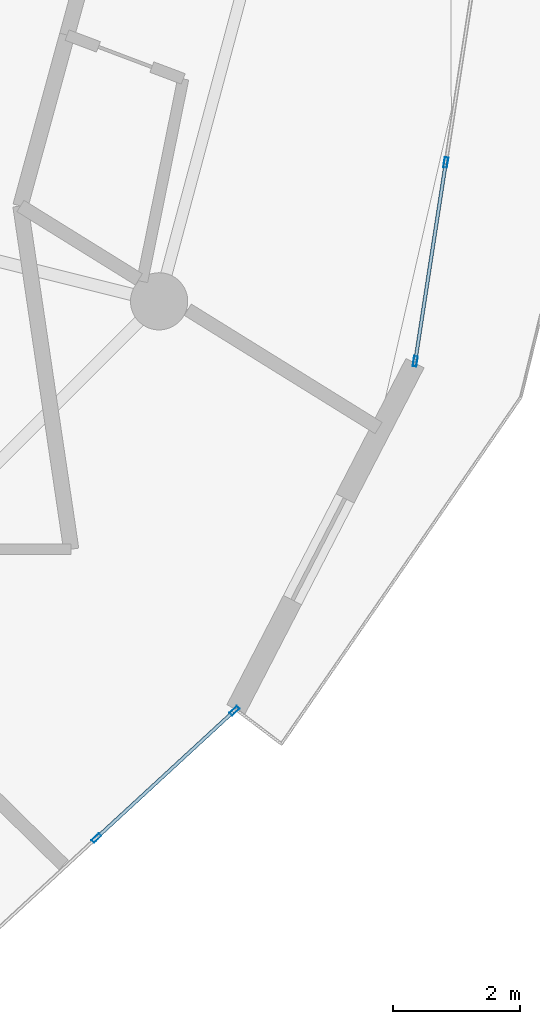
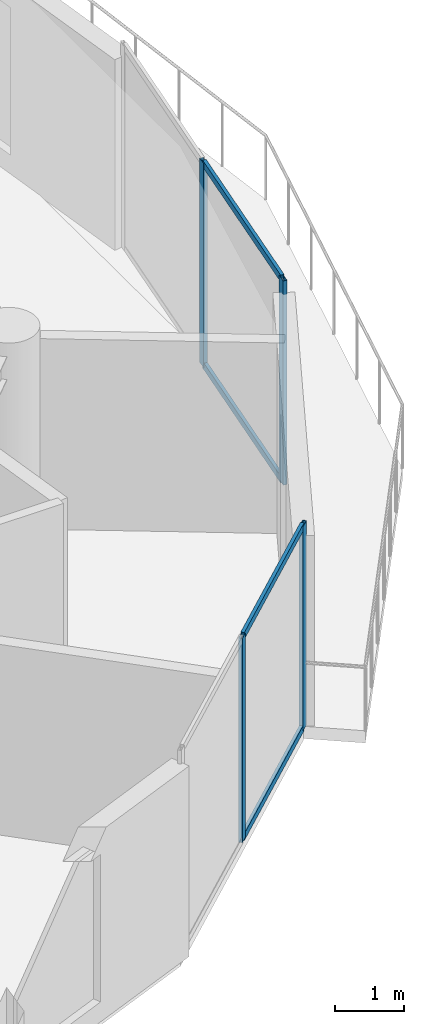
# One storey, part 12 of 24: 8 members, 2 elements without a shape of their own.
"""IFC4 building model written with IfcOpenShell, lengths in metres."""

from ifc_helpers import new_model, si_unit, direction, frame, origin, origin_2d, place, context, subcontext, project, spatial, hollow_rectangle, extrude, source, transform, mapped, material, layer, layer_set, material_profile, profile_set, type_object, element, aggregate, save


model = new_model("IFC4")

# Units and contexts
model_context = context("Model", 3, precision=1e-05, world=origin(), true_north=direction((0.0, 1.0)))
body_context = subcontext(model_context, "Body", "Model", "MODEL_VIEW")
ifc_project = project(units=[si_unit("LENGTHUNIT", "METRE"), si_unit("AREAUNIT", "SQUARE_METRE"), si_unit("VOLUMEUNIT", "CUBIC_METRE"), si_unit("PLANEANGLEUNIT", "RADIAN"), si_unit("MASSUNIT", "GRAM", prefix="KILO")], contexts=[model_context])

# Site, building, storey
site_placement = place(None, origin())
site = spatial("IfcSite", under=ifc_project, at=site_placement, CompositionType="ELEMENT")
building_placement = place(site_placement, origin())
building = spatial("IfcBuilding", under=site, at=building_placement, Name="Solvirekh Grand Hotel", CompositionType="ELEMENT")
storey_placement = place(building_placement, frame((0.0, 0.0, 184.0)))
storey = spatial("IfcBuildingStorey", under=building, at=storey_placement, Name="L47", CompositionType="ELEMENT", Elevation=184.0)

# Curtain wall, members
ifc_material = material(Name="Anodized Bronze Aluminium 6063-T6", Category="aluminium")
ifc_layer = layer(ifc_material, 0.159912109375)
ifc_layer_set = layer_set([ifc_layer], Name="Anodized Bronze Aluminium 6063-T6")
curtain_wall_type = type_object("IfcCurtainWallType", Name="CW_Sys4_HighZoneFlushBronzeCW", PredefinedType="NOTDEFINED", material=ifc_layer_set)
curtain_wall_1_placement = place(storey_placement, origin())
curtain_wall_1 = element("IfcCurtainWall", 1, at=curtain_wall_1_placement, inside=storey, type_object=curtain_wall_type, Name="L47 unitised bronze-glass curtain wall CW-L47-C01", PredefinedType="NOTDEFINED")
ifc_material_profile_1 = material_profile(ifc_material, hollow_rectangle(XDim=0.06005859375, YDim=0.159912109375, WallThickness=0.0048828125, at=origin_2d()), Name="ALU RHS 160X60X5")
ifc_profile_set_1 = profile_set([ifc_material_profile_1], Name="Anodized Bronze Aluminium 6063-T6")
member_type_1 = type_object("IfcMemberType", Name="CWMullion_Sys4", PredefinedType="MULLION", material=ifc_profile_set_1)
shared_shape_1 = source(origin(), body_context, "Body", "SweptSolid", [
    extrude(hollow_rectangle(XDim=0.06005859375, YDim=0.159912109375, WallThickness=0.0048828125, at=origin_2d()), origin(), (0.0, 0.0, 1.0), 3.60009765625),
])
member_1_placement = place(storey_placement, frame((12.697509765625, -16.341552734375, 0.0), z_axis=(0.0, 0.0, 1.0), x_axis=(-0.677869340512, 0.735182397228, 0.0)))
member_1 = element("IfcMember", 2, at=member_1_placement, type_object=member_type_1, Name="U04 mullion 2", PredefinedType="MULLION", context=body_context, shape_type="MappedRepresentation", body=[
    mapped(shared_shape_1, transform((0.0, 0.0, 0.0), x_axis=(1.0, 0.0, 0.0), y_axis=(0.0, 1.0, 0.0), z_axis=(0.0, 0.0, 1.0), scale=1.0)),
])
member_2_placement = place(storey_placement, frame((14.868896484375, -14.33935546875, 0.0), z_axis=(0.0, 0.0, 1.0), x_axis=(-0.677869340512, 0.735182397228, 0.0)))
member_2 = element("IfcMember", 3, at=member_2_placement, type_object=member_type_1, Name="U04 mullion 3", PredefinedType="MULLION", context=body_context, shape_type="MappedRepresentation", body=[
    mapped(shared_shape_1, transform((0.0, 0.0, 0.0), x_axis=(1.0, 0.0, 0.0), y_axis=(0.0, 1.0, 0.0), z_axis=(0.0, 0.0, 1.0), scale=1.0)),
])

curtain_wall_2_placement = place(storey_placement, origin())
curtain_wall_2 = element("IfcCurtainWall", 4, at=curtain_wall_2_placement, inside=storey, type_object=curtain_wall_type, Name="L47 unitised bronze-glass curtain wall CW-L47-C03", PredefinedType="NOTDEFINED")
member_3_placement = place(storey_placement, frame((17.712646484375, -8.84326171875, 0.0), z_axis=(0.0, 0.0, 1.0), x_axis=(-0.988384360076, 0.151974855674, 0.0)))
member_3 = element("IfcMember", 5, at=member_3_placement, type_object=member_type_1, Name="U04 mullion 1", PredefinedType="MULLION", context=body_context, shape_type="MappedRepresentation", body=[
    mapped(shared_shape_1, transform((0.0, 0.0, 0.0), x_axis=(1.0, 0.0, 0.0), y_axis=(0.0, 1.0, 0.0), z_axis=(0.0, 0.0, 1.0), scale=1.0)),
])
member_4_placement = place(storey_placement, frame((18.193603515625, -5.715576171875, 0.0), z_axis=(0.0, 0.0, 1.0), x_axis=(-0.988384360076, 0.151974855674, 0.0)))
member_4 = element("IfcMember", 6, at=member_4_placement, type_object=member_type_1, Name="U04 mullion 2", PredefinedType="MULLION", context=body_context, shape_type="MappedRepresentation", body=[
    mapped(shared_shape_1, transform((0.0, 0.0, 0.0), x_axis=(1.0, 0.0, 0.0), y_axis=(0.0, 1.0, 0.0), z_axis=(0.0, 0.0, 1.0), scale=1.0)),
])
ifc_material_profile_2 = material_profile(ifc_material, hollow_rectangle(XDim=0.054931640625, YDim=0.1201171875, WallThickness=0.00390625, at=origin_2d()), Name="ALU RHS 120X55X4")
ifc_profile_set_2 = profile_set([ifc_material_profile_2], Name="Anodized Bronze Aluminium 6063-T6")
member_type_2 = type_object("IfcMemberType", Name="CWTransom_Sys4", PredefinedType="USERDEFINED", material=ifc_profile_set_2)
shared_shape_2 = source(origin(), body_context, "Body", "SweptSolid", [
    extrude(hollow_rectangle(XDim=0.054931640625, YDim=0.1201171875, WallThickness=0.00390625, at=origin_2d()), origin(), (0.0, 0.0, 1.0), 3.104736328125),
])
member_5_placement = place(storey_placement, frame((17.717041015625, -8.813720703125, 0.027587890625), z_axis=(0.152004002247, 0.988379878033, 0.0), x_axis=(-0.988379878033, 0.152004002247, 0.0)))
member_5 = element("IfcMember", 7, at=member_5_placement, type_object=member_type_2, Name="U04 transom 1.1", ObjectType="TRANSOM", PredefinedType="USERDEFINED", context=body_context, shape_type="MappedRepresentation", body=[
    mapped(shared_shape_2, transform((0.0, 0.0, 0.0), x_axis=(1.0, 0.0, 0.0), y_axis=(0.0, 1.0, 0.0), z_axis=(0.0, 0.0, 1.0), scale=1.0)),
])
member_6_placement = place(storey_placement, frame((17.717041015625, -8.813720703125, 3.572509765625), z_axis=(0.152004002247, 0.988379878033, 0.0), x_axis=(-0.988379878033, 0.152004002247, 0.0)))
member_6 = element("IfcMember", 8, at=member_6_placement, type_object=member_type_2, Name="U04 transom 1.2", ObjectType="TRANSOM", PredefinedType="USERDEFINED", context=body_context, shape_type="MappedRepresentation", body=[
    mapped(shared_shape_2, transform((0.0, 0.0, 0.0), x_axis=(1.0, 0.0, 0.0), y_axis=(0.0, 1.0, 0.0), z_axis=(0.0, 0.0, 1.0), scale=1.0)),
])
aggregate(curtain_wall_2, [member_3, member_4, member_5, member_6])

# Member
shared_shape_3 = source(origin(), body_context, "Body", "SweptSolid", [
    extrude(hollow_rectangle(XDim=0.054931640625, YDim=0.1201171875, WallThickness=0.00390625, at=origin_2d()), origin(), (0.0, 0.0, 1.0), 2.8935546875),
])
member_7_placement = place(storey_placement, frame((12.719482421875, -16.321044921875, 0.027587890625), z_axis=(0.73521088161, 0.677838446506, 0.0), x_axis=(-0.677838446506, 0.73521088161, 0.0)))
member_7 = element("IfcMember", 9, at=member_7_placement, type_object=member_type_2, Name="U04 transom 2.1", ObjectType="TRANSOM", PredefinedType="USERDEFINED", context=body_context, shape_type="MappedRepresentation", body=[
    mapped(shared_shape_3, transform((0.0, 0.0, 0.0), x_axis=(1.0, 0.0, 0.0), y_axis=(0.0, 1.0, 0.0), z_axis=(0.0, 0.0, 1.0), scale=1.0)),
])

member_8_placement = place(storey_placement, frame((12.719482421875, -16.321044921875, 3.572509765625), z_axis=(0.73521088161, 0.677838446506, 0.0), x_axis=(-0.677838446506, 0.73521088161, 0.0)))
member_8 = element("IfcMember", 10, at=member_8_placement, type_object=member_type_2, Name="U04 transom 2.2", ObjectType="TRANSOM", PredefinedType="USERDEFINED", context=body_context, shape_type="MappedRepresentation", body=[
    mapped(shared_shape_3, transform((0.0, 0.0, 0.0), x_axis=(1.0, 0.0, 0.0), y_axis=(0.0, 1.0, 0.0), z_axis=(0.0, 0.0, 1.0), scale=1.0)),
])

aggregate(curtain_wall_1, [member_1, member_2, member_7, member_8])

save(model, "model.ifc")
